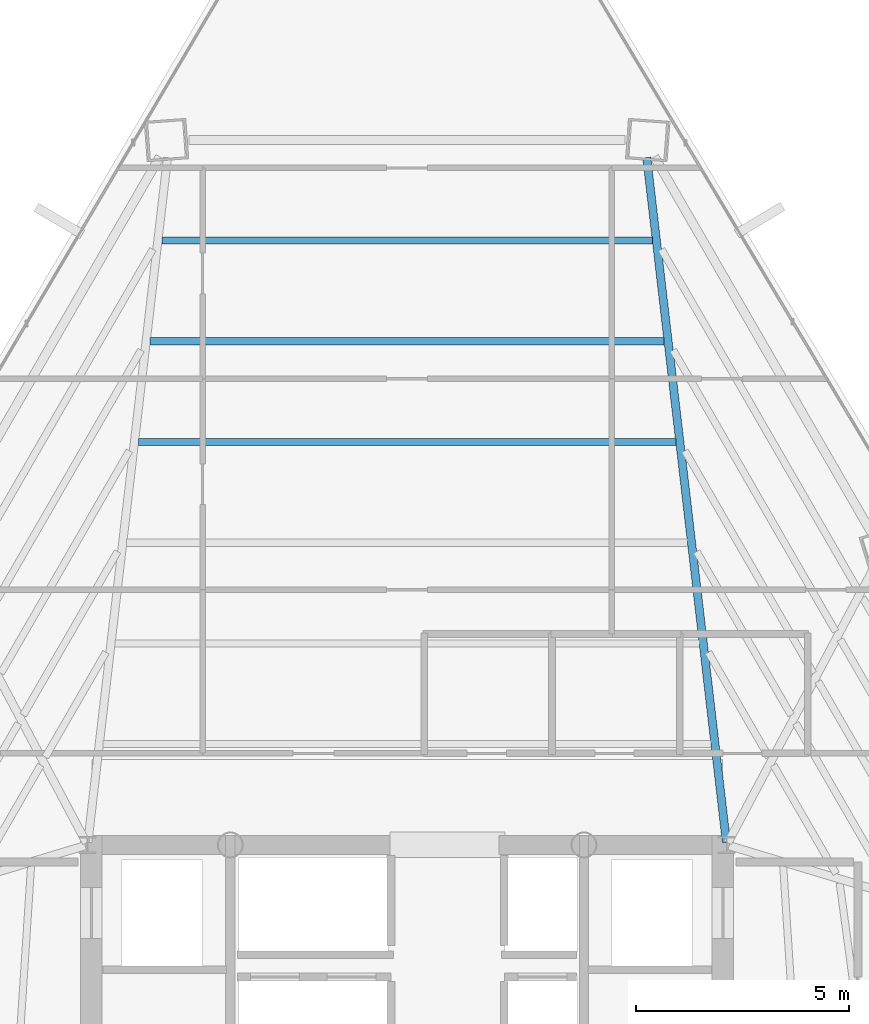
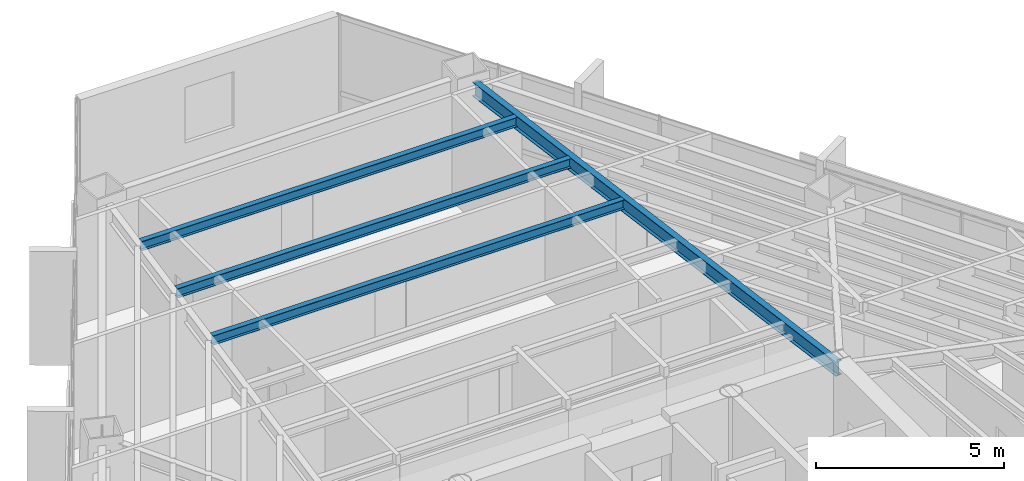
# One storey, part 29 of 41: 4 beams.
"""IFC4 building model written with IfcOpenShell, lengths in metres."""

from ifc_helpers import new_model, si_unit, direction, frame, origin, origin_2d, place, context, subcontext, project, spatial, i_section, extrude, source, transform, mapped, material, material_profile, profile_set, type_object, type_shapes, element, save


model = new_model("IFC4")

# Units and contexts
model_context = context("Model", 3, precision=1e-05, world=origin(), true_north=direction((0.0, 1.0)))
body_context = subcontext(model_context, "Body", "Model", "MODEL_VIEW")
ifc_project = project(units=[si_unit("LENGTHUNIT", "METRE"), si_unit("AREAUNIT", "SQUARE_METRE"), si_unit("VOLUMEUNIT", "CUBIC_METRE"), si_unit("PLANEANGLEUNIT", "RADIAN"), si_unit("MASSUNIT", "GRAM", prefix="KILO")], contexts=[model_context])

# Site, building, storey
site_placement = place(None, origin())
site = spatial("IfcSite", under=ifc_project, at=site_placement, CompositionType="ELEMENT")
building_placement = place(site_placement, origin())
building = spatial("IfcBuilding", under=site, at=building_placement, Name="Caelisora Broadcast Tower", CompositionType="ELEMENT")
storey_placement = place(building_placement, frame((0.0, 0.0, 180.39990234375)))
storey = spatial("IfcBuildingStorey", under=building, at=storey_placement, Name="L47", CompositionType="ELEMENT", Elevation=180.39990234375)

# Beams
ifc_material = material(Name="Steel Grade 350 (AS/NZS 3679.1)", Category="steel")
ifc_material_profile_1 = material_profile(ifc_material, i_section(OverallWidth=0.19091796875, OverallDepth=0.46044921875, WebThickness=0.010009765625, FlangeThickness=0.01611328125, at=origin_2d()), Name="Steel Grade 350 (AS/NZS 3679.1)")
ifc_profile_set_1 = profile_set([ifc_material_profile_1], Name="Steel Grade 350 (AS/NZS 3679.1)")
beam_type_1 = type_object("IfcBeamType", Name="PG06", PredefinedType="BEAM", material=ifc_profile_set_1)
shared_shape_1 = source(origin(), body_context, "Body", "SweptSolid", [
    extrude(i_section(OverallWidth=0.19091796875, OverallDepth=0.46044921875, WebThickness=0.010009765625, FlangeThickness=0.01611328125, at=origin_2d()), origin(), (0.0, 0.0, 1.0), 16.178955078125),
])
type_shapes(beam_type_1, [shared_shape_1])
beam_1_placement = place(storey_placement, frame((45.4931640625, 30.0595703125, 3.169921875), z_axis=(-0.115604039252, 0.99329537707, 0.0), x_axis=(-0.99329537707, -0.115604039252, 0.0)))
element("IfcBeam", 1, at=beam_1_placement, inside=storey, type_object=beam_type_1, Name="L47 beam PG06", PredefinedType="BEAM", context=body_context, shape_type="MappedRepresentation", body=[
    mapped(shared_shape_1, transform((0.0, 0.0, 0.0), scale=1.0)),
])
ifc_material_profile_2 = material_profile(ifc_material, i_section(OverallWidth=0.166015625, OverallDepth=0.30712890625, WebThickness=0.006591796875, FlangeThickness=0.01171875, at=origin_2d()), Name="Steel Grade 350 (AS/NZS 3679.1)")
ifc_profile_set_2 = profile_set([ifc_material_profile_2], Name="Steel Grade 350 (AS/NZS 3679.1)")
beam_type_2 = type_object("IfcBeamType", Name="SB03", PredefinedType="JOIST", material=ifc_profile_set_2)
shared_shape_2 = source(origin(), body_context, "Body", "SweptSolid", [
    extrude(i_section(OverallWidth=0.166015625, OverallDepth=0.30712890625, WebThickness=0.006591796875, FlangeThickness=0.01171875, at=origin_2d()), origin(), (0.0, 0.0, 1.0), 12.61279296875),
])
beam_2_placement = place(storey_placement, frame((44.306396484375, 39.45556640625, 3.24658203125), z_axis=(-1.0, 0.0, 0.0), x_axis=(0.0, -1.0, 0.0)))
element("IfcBeam", 2, at=beam_2_placement, inside=storey, type_object=beam_type_2, Name="L47 beam SB03", PredefinedType="JOIST", context=body_context, shape_type="MappedRepresentation", body=[
    mapped(shared_shape_2, transform((0.0, 0.0, 0.0), scale=1.0)),
])
shared_shape_3 = source(origin(), body_context, "Body", "SweptSolid", [
    extrude(i_section(OverallWidth=0.166015625, OverallDepth=0.30712890625, WebThickness=0.006591796875, FlangeThickness=0.01171875, at=origin_2d()), origin(), (0.0, 0.0, 1.0), 12.06298828125),
])
beam_3_placement = place(storey_placement, frame((44.031494140625, 41.819580078125, 3.24658203125), z_axis=(-1.0, 0.0, 0.0), x_axis=(0.0, -1.0, 0.0)))
element("IfcBeam", 3, at=beam_3_placement, inside=storey, type_object=beam_type_2, Name="L47 beam SB03", PredefinedType="JOIST", context=body_context, shape_type="MappedRepresentation", body=[
    mapped(shared_shape_3, transform((0.0, 0.0, 0.0), scale=1.0)),
])
shared_shape_4 = source(origin(), body_context, "Body", "SweptSolid", [
    extrude(i_section(OverallWidth=0.166015625, OverallDepth=0.30712890625, WebThickness=0.006591796875, FlangeThickness=0.01171875, at=origin_2d()), origin(), (0.0, 0.0, 1.0), 11.5126953125),
])
type_shapes(beam_type_2, [shared_shape_2, shared_shape_3, shared_shape_4])
beam_4_placement = place(storey_placement, frame((43.75634765625, 44.183349609375, 3.24658203125), z_axis=(-1.0, 0.0, 0.0), x_axis=(0.0, -1.0, 0.0)))
element("IfcBeam", 4, at=beam_4_placement, inside=storey, type_object=beam_type_2, Name="L47 beam SB03", PredefinedType="JOIST", context=body_context, shape_type="MappedRepresentation", body=[
    mapped(shared_shape_4, transform((0.0, 0.0, 0.0), scale=1.0)),
])

save(model, "model.ifc")
